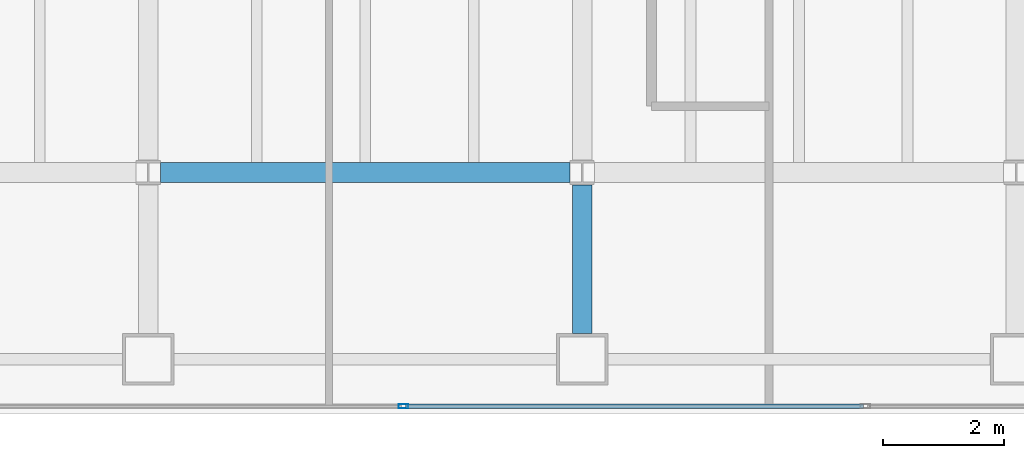
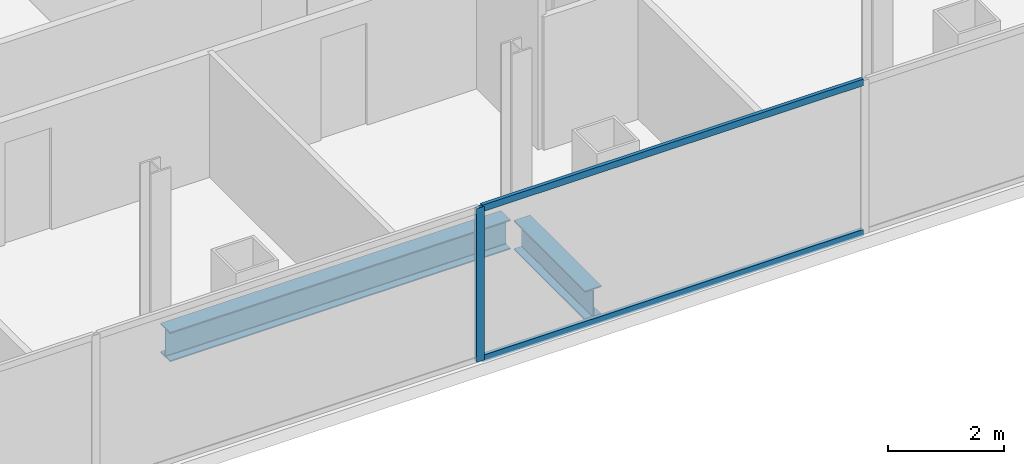
# One storey, part 6 of 23: 3 members, 2 beams, 1 element without a shape of its own.
"""IFC4 building model written with IfcOpenShell, lengths in metres."""

from ifc_helpers import new_model, si_unit, direction, frame, origin, origin_2d, place, context, subcontext, project, spatial, hollow_rectangle, i_section, extrude, material, material_profile, profile_set, type_object, element, aggregate, save


model = new_model("IFC4")

# Units and contexts
model_context = context("Model", 3, precision=1e-05, world=origin(), true_north=direction((0.0, 1.0)))
body_context = subcontext(model_context, "Body", "Model", "MODEL_VIEW")
ifc_project = project(units=[si_unit("LENGTHUNIT", "METRE"), si_unit("AREAUNIT", "SQUARE_METRE"), si_unit("VOLUMEUNIT", "CUBIC_METRE"), si_unit("PLANEANGLEUNIT", "RADIAN"), si_unit("MASSUNIT", "GRAM", prefix="KILO")], contexts=[model_context])

# Site, building, storey
site_placement = place(None, origin())
site = spatial("IfcSite", under=ifc_project, at=site_placement, CompositionType="ELEMENT")
building_placement = place(site_placement, origin())
building = spatial("IfcBuilding", under=site, at=building_placement, Name="Cobrela Telecom Tower", CompositionType="ELEMENT")
storey_placement = place(building_placement, frame((0.0, 0.0, 173.25)))
storey = spatial("IfcBuildingStorey", under=building, at=storey_placement, Name="L43", CompositionType="ELEMENT", Elevation=173.25)

# Beams
ifc_material_1 = material(Name="Steel ASTM A992 Grade 50", Category="steel")
ifc_material_profile_1 = material_profile(ifc_material_1, i_section(OverallWidth=0.327880859375, OverallDepth=0.6220703125, WebThickness=0.015380859375, FlangeThickness=0.0244140625, FilletRadius=0.014892578125, at=origin_2d()), Name="W24X131")
ifc_profile_set_1 = profile_set([ifc_material_profile_1], Name="Steel ASTM A992 Grade 50")
beam_type = type_object("IfcBeamType", Name="BM-GIRD-06", PredefinedType="USERDEFINED", material=ifc_profile_set_1)
beam_1_placement = place(storey_placement, frame((21.804443359375, 7.199951171875, -0.571044921875), z_axis=(1.0, 0.0, 0.0), x_axis=(0.0, 1.0, 0.0)))
element("IfcBeam", 1, at=beam_1_placement, inside=storey, type_object=beam_type, Name="L43 Primary Girder X08", ObjectType="GIRDER", PredefinedType="USERDEFINED", context=body_context, shape_type="SweptSolid", body=[
    extrude(i_section(OverallWidth=0.327880859375, OverallDepth=0.6220703125, WebThickness=0.015380859375, FlangeThickness=0.0244140625, FilletRadius=0.014892578125, at=origin_2d()), origin(), (0.0, 0.0, 1.0), 6.791015625),
])
beam_2_placement = place(storey_placement, frame((28.800048828125, 4.530029296875, -0.571044921875), z_axis=(0.0, 1.0, 0.0), x_axis=(-1.0, 0.0, 0.0)))
element("IfcBeam", 2, at=beam_2_placement, inside=storey, type_object=beam_type, Name="L43 Primary Girder Y36", ObjectType="GIRDER", PredefinedType="USERDEFINED", context=body_context, shape_type="SweptSolid", body=[
    extrude(i_section(OverallWidth=0.327880859375, OverallDepth=0.6220703125, WebThickness=0.015380859375, FlangeThickness=0.0244140625, FilletRadius=0.014892578125, at=origin_2d()), origin(), (0.0, 0.0, 1.0), 2.465576171875),
])

# Curtain wall, members
ifc_material_2 = material(Name="Anodized Bronze Aluminium 6063-T6", Category="aluminium")
curtain_wall_type = type_object("IfcCurtainWallType", Name="CW-SYS-OFF-LO", PredefinedType="USERDEFINED", material=ifc_material_2)
curtain_wall_placement = place(storey_placement, origin())
curtain_wall = element("IfcCurtainWall", 3, at=curtain_wall_placement, inside=storey, type_object=curtain_wall_type, Name="L43 Unitised Bronze Curtain Wall 17", ObjectType="UNITISED CURTAIN WALL", PredefinedType="USERDEFINED")
ifc_material_profile_2 = material_profile(ifc_material_2, hollow_rectangle(XDim=0.070068359375, YDim=0.159912109375, WallThickness=0.00390625, at=origin_2d()), Name="ALU 70x160x4")
ifc_profile_set_2 = profile_set([ifc_material_profile_2], Name="Anodized Bronze Aluminium 6063-T6")
member_type_1 = type_object("IfcMemberType", Name="CW-SYS-OFF-LO-MUL", PredefinedType="MULLION", material=ifc_profile_set_2)
member_1_placement = place(storey_placement, frame((25.833984375, 3.320068359375, 0.0), z_axis=(0.0, 0.0, 1.0), x_axis=(0.0, -1.0, 0.0)))
member_1 = element("IfcMember", 4, at=member_1_placement, type_object=member_type_1, Name="CW-OFF-LO mullion 3", PredefinedType="MULLION", context=body_context, shape_type="SweptSolid", body=[
    extrude(hollow_rectangle(XDim=0.070068359375, YDim=0.159912109375, WallThickness=0.00390625, at=origin_2d()), origin(), (0.0, 0.0, 1.0), 3.239990234375),
])
ifc_material_profile_3 = material_profile(ifc_material_2, hollow_rectangle(XDim=0.070068359375, YDim=0.139892578125, WallThickness=0.00390625, at=origin_2d()), Name="ALU 70x140x4")
ifc_profile_set_3 = profile_set([ifc_material_profile_3], Name="Anodized Bronze Aluminium 6063-T6")
member_type_2 = type_object("IfcMemberType", Name="CW-SYS-OFF-LO-TRN", PredefinedType="USERDEFINED", material=ifc_profile_set_3)
member_2_placement = place(storey_placement, frame((33.467041015625, 3.320068359375, 0.034912109375), z_axis=(-1.0, 0.0, 0.0), x_axis=(0.0, -1.0, 0.0)))
member_2 = element("IfcMember", 5, at=member_2_placement, type_object=member_type_2, Name="CW-OFF-LO transom 2.1", ObjectType="TRANSOM", PredefinedType="USERDEFINED", context=body_context, shape_type="SweptSolid", body=[
    extrude(hollow_rectangle(XDim=0.070068359375, YDim=0.139892578125, WallThickness=0.00390625, at=origin_2d()), origin(), (0.0, 0.0, 1.0), 7.59814453125),
])
member_3_placement = place(storey_placement, frame((33.467041015625, 3.320068359375, 3.205078125), z_axis=(-1.0, 0.0, 0.0), x_axis=(0.0, -1.0, 0.0)))
member_3 = element("IfcMember", 6, at=member_3_placement, type_object=member_type_2, Name="CW-OFF-LO transom 2.2", ObjectType="TRANSOM", PredefinedType="USERDEFINED", context=body_context, shape_type="SweptSolid", body=[
    extrude(hollow_rectangle(XDim=0.070068359375, YDim=0.139892578125, WallThickness=0.00390625, at=origin_2d()), origin(), (0.0, 0.0, 1.0), 7.59814453125),
])
aggregate(curtain_wall, [member_1, member_2, member_3])

save(model, "model.ifc")
